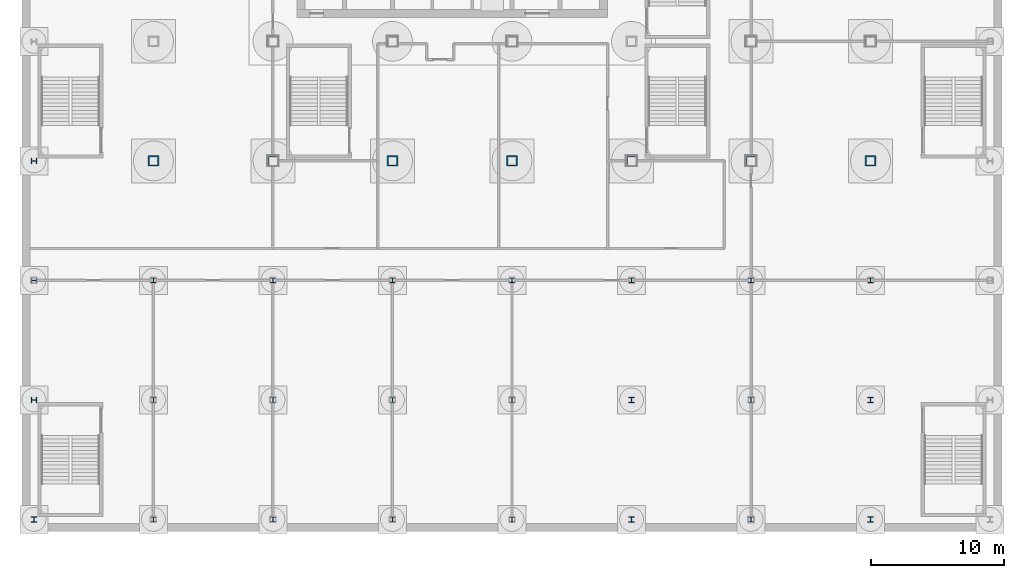
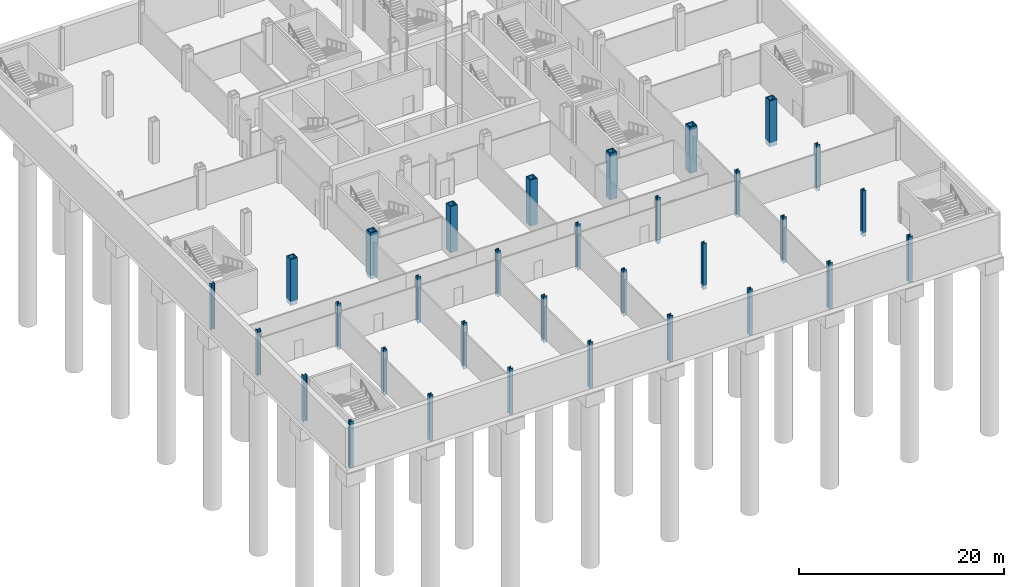
# One storey, part 2 of 28: 32 columns.
"""IFC4 building model written with IfcOpenShell, lengths in metres."""

import ifcopenshell
import ifcopenshell.guid

model = None  # the IFC model being written
_history = None  # IfcOwnerHistory: only IFC2X3 demands one
_inside = {}  # id of a spatial element -> (the spatial element, [elements in it])
_under = {}  # id of a project, library or spatial element -> (it, [spatial elements below it])
_declared = {}  # id of a project -> (the project, [libraries it declares])
_typed = {}  # id of a type object -> (the type object, [elements of that type])
_made_of = {}  # id of a material, layer set ... -> (it, [elements and type objects made of it])


def new_model(schema):
    """Start an empty IFC model of exactly this schema.

    Asked for "IFC4X3", IfcOpenShell would pick the latest addendum, in which some entities
    have other attributes; the version numbers below select the first issue.
    IFC2X3 requires an IfcOwnerHistory on every rooted entity: one is made here for all.
    """
    global model, _history
    if schema == "IFC4X3":
        model = ifcopenshell.file(schema_version=(4, 3, 0, 0))
    else:
        model = ifcopenshell.file(schema=schema)
    _inside.clear()
    _under.clear()
    _declared.clear()
    _typed.clear()
    _made_of.clear()
    _history = None
    if model.schema == "IFC2X3":
        org = make("IfcOrganization", Name="unknown")
        user = make(
            "IfcPersonAndOrganization",
            ThePerson=make("IfcPerson", FamilyName="unknown"),
            TheOrganization=org,
        )
        app = make(
            "IfcApplication",
            ApplicationDeveloper=org,
            Version="unknown",
            ApplicationFullName="unknown",
            ApplicationIdentifier="unknown",
        )
        _history = make(
            "IfcOwnerHistory",
            OwningUser=user,
            OwningApplication=app,
            ChangeAction="ADDED",
            CreationDate=0,
        )
    return model


def make(cls, **values):
    """One entity of the class cls with the attributes given. An attribute that is None is left unset."""
    return model.create_entity(
        cls, **{name: value for name, value in values.items() if value is not None}
    )


def rooted(cls, **values):
    """An entity with a GlobalId (a new one), such as an element, a storey or a relation."""
    return make(cls, GlobalId=ifcopenshell.guid.new(), OwnerHistory=_history, **values)


def si_unit(unit_type, name, prefix=None):
    """IfcSIUnit, for example si_unit("LENGTHUNIT", "METRE", prefix="MILLI")."""
    return make("IfcSIUnit", UnitType=unit_type, Prefix=prefix, Name=name)


def assignment(units):
    """IfcUnitAssignment: the units of a project."""
    return None if units is None else make("IfcUnitAssignment", Units=units)


def point(xyz):
    """IfcCartesianPoint."""
    return None if xyz is None else make("IfcCartesianPoint", Coordinates=xyz)


def direction(xyz):
    """IfcDirection."""
    return None if xyz is None else make("IfcDirection", DirectionRatios=xyz)


def frame(location, z_axis=None, x_axis=None):
    """IfcAxis2Placement3D, a coordinate frame: its origin and axes. An axis left out is left unset."""
    return make(
        "IfcAxis2Placement3D",
        Location=point(location),
        Axis=direction(z_axis),
        RefDirection=direction(x_axis),
    )


def frame_2d(location, x_axis=None):
    """IfcAxis2Placement2D, a coordinate frame in the plane: its origin and x axis."""
    return make(
        "IfcAxis2Placement2D", Location=point(location), RefDirection=direction(x_axis)
    )


def origin():
    """The frame at (0, 0, 0) with its axes left unset."""
    return frame((0.0, 0.0, 0.0))


def origin_2d():
    """The frame at (0, 0) in the plane with its x axis left unset."""
    return frame_2d((0.0, 0.0))


def place(relative_to, where):
    """IfcLocalPlacement: puts the frame where relative to a parent placement (None: the world)."""
    return make(
        "IfcLocalPlacement", PlacementRelTo=relative_to, RelativePlacement=where
    )


def context(
    kind, dimensions, precision=None, world=None, true_north=None, identifier=None
):
    """IfcGeometricRepresentationContext, for example the 3D "Model" context."""
    return make(
        "IfcGeometricRepresentationContext",
        ContextIdentifier=identifier,
        ContextType=kind,
        CoordinateSpaceDimension=dimensions,
        Precision=precision,
        WorldCoordinateSystem=world,
        TrueNorth=true_north,
    )


def subcontext(parent, identifier, kind, view, scale=None):
    """IfcGeometricRepresentationSubContext, for example "Body" below "Model"."""
    return make(
        "IfcGeometricRepresentationSubContext",
        ContextIdentifier=identifier,
        ContextType=kind,
        ParentContext=parent,
        TargetScale=scale,
        TargetView=view,
    )


def project(units=None, contexts=None):
    """IfcProject with its units and contexts."""
    return rooted(
        "IfcProject",
        Name="project",
        RepresentationContexts=contexts,
        UnitsInContext=assignment(units),
    )


def spatial(cls, under=None, at=None, **own):
    """A site, building, storey or space (cls), placed at a placement, below another one or the project."""
    s = rooted(cls, ObjectPlacement=at, **own)
    if under is not None:
        _under.setdefault(under.id(), (under, []))[1].append(s)
    return s


def profile(cls, at=None, kind="AREA", **sizes):
    """A parametric profile (cls). Its sizes go by their IFC names, for example OverallWidth=200.0."""
    return make(cls, ProfileType=kind, Position=at, **sizes)


def hollow_rectangle(**sizes):
    """IfcRectangleHollowProfileDef."""
    return profile("IfcRectangleHollowProfileDef", **sizes)


def i_section(**sizes):
    """IfcIShapeProfileDef."""
    return profile("IfcIShapeProfileDef", **sizes)


def extrude(swept, where, along, depth):
    """IfcExtrudedAreaSolid: the profile swept, set in the frame where, extruded along a direction by depth."""
    return make(
        "IfcExtrudedAreaSolid",
        SweptArea=swept,
        Position=where,
        ExtrudedDirection=direction(along),
        Depth=depth,
    )


def shape(context_of_items, identifier, shape_type, items):
    """IfcShapeRepresentation: the items that make up one representation, for example the "Body"."""
    return make(
        "IfcShapeRepresentation",
        ContextOfItems=context_of_items,
        RepresentationIdentifier=identifier,
        RepresentationType=shape_type,
        Items=items,
    )


def material(Name=None, Category=None):
    """IfcMaterial."""
    return make("IfcMaterial", Name=Name, Category=Category)


def material_profile(
    of_material, cross_section, Name=None, Category=None, Priority=None
):
    """IfcMaterialProfile: a cross section and its material."""
    return make(
        "IfcMaterialProfile",
        Name=Name,
        Material=of_material,
        Profile=cross_section,
        Priority=Priority,
        Category=Category,
    )


def profile_set(profiles, Name=None, composite=None):
    """IfcMaterialProfileSet."""
    return make(
        "IfcMaterialProfileSet",
        Name=Name,
        MaterialProfiles=profiles,
        CompositeProfile=composite,
    )


def made_of(thing, what):
    """Note that an element or type object is made of a material, layer set ...; save() writes the relation."""
    if what is not None:
        _made_of.setdefault(what.id(), (what, []))[1].append(thing)
    return thing


def type_object(cls, material=None, **own):
    """A type object (cls), such as IfcWallType, which elements share."""
    return made_of(rooted(cls, **own), material)


def element(
    cls,
    number,
    at=None,
    inside=None,
    cuts=None,
    type_object=None,
    material=None,
    context=None,
    identifier="Body",
    shape_type=None,
    held_by="IfcProductDefinitionShape",
    body=None,
    shapes=None,
    **own,
):
    """One element of the class cls, such as IfcWall. Its Tag is "e" and its number.

    at: its placement. inside: the storey or other place that contains it. cuts: it is an
    opening in that element (IfcRelVoidsElement). A single representation is given by context,
    identifier, shape_type and body (its items); several are given by shapes. held_by: the class
    of the entity that holds the representations. save() writes the other relations.
    """
    e = rooted(cls, Tag="e%d" % number, ObjectPlacement=at, **own)
    if body is not None:
        shapes = [shape(context, identifier, shape_type, body)]
    if shapes is not None:
        e.Representation = make(held_by, Representations=shapes)
    if inside is not None:
        _inside.setdefault(inside.id(), (inside, []))[1].append(e)
    if cuts is not None:
        rooted(
            "IfcRelVoidsElement", RelatingBuildingElement=cuts, RelatedOpeningElement=e
        )
    if type_object is not None:
        _typed.setdefault(type_object.id(), (type_object, []))[1].append(e)
    return made_of(e, material)


def aggregate(whole, parts):
    """IfcRelAggregates: a whole, such as a stair, and the parts it consists of."""
    return rooted("IfcRelAggregates", RelatingObject=whole, RelatedObjects=parts)


def save(model, path):
    """Write the relations noted so far, then the file.

    IfcRelAggregates (storeys below a building ...), IfcRelContainedInSpatialStructure (elements
    in a storey), IfcRelDefinesByType, IfcRelAssociatesMaterial and IfcRelDeclares: one each for
    every whole, place, type object, material and project.
    """
    for whole, parts in _under.values():
        aggregate(whole, parts)
    for where, things in _inside.values():
        rooted(
            "IfcRelContainedInSpatialStructure",
            RelatedElements=things,
            RelatingStructure=where,
        )
    for kind, things in _typed.values():
        rooted("IfcRelDefinesByType", RelatedObjects=things, RelatingType=kind)
    for what, things in _made_of.values():
        rooted("IfcRelAssociatesMaterial", RelatedObjects=things, RelatingMaterial=what)
    for by, libraries in _declared.values():
        rooted("IfcRelDeclares", RelatingContext=by, RelatedDefinitions=libraries)
    model.write(path)


model = new_model("IFC4")

# Units and contexts
model_context = context("Model", 3, precision=1e-05, world=origin(), true_north=direction((0.0, 1.0)))
body_context = subcontext(model_context, "Body", "Model", "MODEL_VIEW")
ifc_project = project(units=[si_unit("LENGTHUNIT", "METRE"), si_unit("AREAUNIT", "SQUARE_METRE"), si_unit("VOLUMEUNIT", "CUBIC_METRE"), si_unit("PLANEANGLEUNIT", "RADIAN"), si_unit("MASSUNIT", "GRAM", prefix="KILO")], contexts=[model_context])

# Site, building, storey
site_placement = place(None, origin())
site = spatial("IfcSite", under=ifc_project, at=site_placement, CompositionType="ELEMENT")
building_placement = place(site_placement, origin())
building = spatial("IfcBuilding", under=site, at=building_placement, Name="Loomwork Tower", CompositionType="ELEMENT")
storey_placement = place(building_placement, frame((0.0, 0.0, -10.5)))
storey = spatial("IfcBuildingStorey", under=building, at=storey_placement, Name="B2", CompositionType="ELEMENT", Elevation=-10.5)

# Columns
ifc_material_1 = material(Name="Steel ASTM A572 Grade 50 plate", Category="steel")
ifc_material_profile_1 = material_profile(ifc_material_1, hollow_rectangle(XDim=0.800048828125, YDim=0.800048828125, WallThickness=0.10009765625, at=origin_2d()), Name="BOX800x100")
ifc_profile_set_1 = profile_set([ifc_material_profile_1], Name="Steel ASTM A572 Grade 50 plate")
column_type_1 = type_object("IfcColumnType", Name="EXOSKELETON PIER BOX800x100", PredefinedType="COLUMN", material=ifc_profile_set_1)
for number, where, z_axis, x_axis, name in (
    (1, (0.0, 0.0, -0.5), (0.0, 0.0, 1.0), (1.0, 0.0, 0.0), "Exoskeleton Pier D/2 B2"),
    (2, (9.0, 0.0, -0.5), (0.0, 0.0, 1.0), (1.0, 0.0, 0.0), "Exoskeleton Pier D/3 B2"),
    (3, (18.0, 0.0, -0.5), (0.0, 0.0, 1.0), (1.0, 0.0, 0.0), "Exoskeleton Pier D/4 B2"),
    (4, (27.0, 0.0, -0.5), (0.0, 0.0, 1.0), (1.0, 0.0, 0.0), "Exoskeleton Pier D/5 B2"),
    (5, (36.0, 0.0, -0.5), (0.0, 0.0, 1.0), (1.0, 0.0, 0.0), "Exoskeleton Pier D/6 B2"),
    (6, (45.0, 0.0, -0.5), (0.0, 0.0, 1.0), (1.0, 0.0, 0.0), "Exoskeleton Pier D/7 B2"),
    (7, (54.0, 0.0, -0.5), (0.0, 0.0, 1.0), (1.0, 0.0, 0.0), "Exoskeleton Pier D/8 B2"),
):
    element("IfcColumn", number, at=place(storey_placement, frame(where, z_axis=z_axis, x_axis=x_axis)), inside=storey, type_object=column_type_1, Name=name, PredefinedType="COLUMN", context=body_context, shape_type="SweptSolid", body=[
        extrude(hollow_rectangle(XDim=0.800048828125, YDim=0.800048828125, WallThickness=0.10009765625, at=origin_2d()), origin(), (0.0, 0.0, 1.0), 5.5),
    ])
ifc_material_2 = material(Name="Steel ASTM A992", Category="steel")
ifc_material_profile_2 = material_profile(ifc_material_2, i_section(OverallWidth=0.4013671875, OverallDepth=0.398681640625, WebThickness=0.02490234375, FlangeThickness=0.03955078125, at=origin_2d()), Name="W14x211")
ifc_profile_set_2 = profile_set([ifc_material_profile_2], Name="Steel ASTM A992")
column_type_2 = type_object("IfcColumnType", Name="PODIUM COLUMN W14x211", PredefinedType="COLUMN", material=ifc_profile_set_2)
for number, where, z_axis, x_axis, name in (
    (8, (-9.0, -27.0, -0.5), (0.0, 0.0, 1.0), (1.0, 0.0, 0.0), "Podium Column A/1 B2"),
    (9, (-9.0, -18.0, -0.5), (0.0, 0.0, 1.0), (0.0, 1.0, 0.0), "Podium Column B/1 B2"),
    (10, (-9.0, -9.0, -0.5), (0.0, 0.0, 1.0), (0.0, 1.0, 0.0), "Podium Column C/1 B2"),
    (11, (-9.0, 0.0, -0.5), (0.0, 0.0, 1.0), (0.0, 1.0, 0.0), "Podium Column D/1 B2"),
    (12, (0.0, -27.0, -0.5), (0.0, 0.0, 1.0), (1.0, 0.0, 0.0), "Podium Column A/2 B2"),
    (13, (0.0, -18.0, -0.5), (0.0, 0.0, 1.0), (1.0, 0.0, 0.0), "Podium Column B/2 B2"),
    (14, (0.0, -9.0, -0.5), (0.0, 0.0, 1.0), (1.0, 0.0, 0.0), "Podium Column C/2 B2"),
    (15, (9.0, -27.0, -0.5), (0.0, 0.0, 1.0), (1.0, 0.0, 0.0), "Podium Column A/3 B2"),
    (16, (9.0, -18.0, -0.5), (0.0, 0.0, 1.0), (1.0, 0.0, 0.0), "Podium Column B/3 B2"),
    (17, (9.0, -9.0, -0.5), (0.0, 0.0, 1.0), (1.0, 0.0, 0.0), "Podium Column C/3 B2"),
    (18, (18.0, -27.0, -0.5), (0.0, 0.0, 1.0), (1.0, 0.0, 0.0), "Podium Column A/4 B2"),
    (19, (18.0, -18.0, -0.5), (0.0, 0.0, 1.0), (1.0, 0.0, 0.0), "Podium Column B/4 B2"),
    (20, (18.0, -9.0, -0.5), (0.0, 0.0, 1.0), (1.0, 0.0, 0.0), "Podium Column C/4 B2"),
    (21, (27.0, -27.0, -0.5), (0.0, 0.0, 1.0), (1.0, 0.0, 0.0), "Podium Column A/5 B2"),
    (22, (27.0, -18.0, -0.5), (0.0, 0.0, 1.0), (1.0, 0.0, 0.0), "Podium Column B/5 B2"),
    (23, (27.0, -9.0, -0.5), (0.0, 0.0, 1.0), (1.0, 0.0, 0.0), "Podium Column C/5 B2"),
    (24, (36.0, -27.0, -0.5), (0.0, 0.0, 1.0), (1.0, 0.0, 0.0), "Podium Column A/6 B2"),
    (25, (36.0, -18.0, -0.5), (0.0, 0.0, 1.0), (1.0, 0.0, 0.0), "Podium Column B/6 B2"),
    (26, (36.0, -9.0, -0.5), (0.0, 0.0, 1.0), (1.0, 0.0, 0.0), "Podium Column C/6 B2"),
    (27, (45.0, -18.0, -0.5), (0.0, 0.0, 1.0), (1.0, 0.0, 0.0), "Podium Column B/7 B2"),
    (28, (45.0, -9.0, -0.5), (0.0, 0.0, 1.0), (1.0, 0.0, 0.0), "Podium Column C/7 B2"),
    (29, (54.0, -18.0, -0.5), (0.0, 0.0, 1.0), (1.0, 0.0, 0.0), "Podium Column B/8 B2"),
    (30, (54.0, -9.0, -0.5), (0.0, 0.0, 1.0), (1.0, 0.0, 0.0), "Podium Column C/8 B2"),
):
    element("IfcColumn", number, at=place(storey_placement, frame(where, z_axis=z_axis, x_axis=x_axis)), inside=storey, type_object=column_type_2, Name=name, PredefinedType="COLUMN", context=body_context, shape_type="SweptSolid", body=[
        extrude(i_section(OverallWidth=0.4013671875, OverallDepth=0.398681640625, WebThickness=0.02490234375, FlangeThickness=0.03955078125, at=origin_2d()), origin(), (0.0, 0.0, 1.0), 5.5),
    ])
ifc_material_3 = material(Name="Steel ASTM A992", Category="steel")
ifc_material_profile_3 = material_profile(ifc_material_3, i_section(OverallWidth=0.408935546875, OverallDepth=0.424072265625, WebThickness=0.03271484375, FlangeThickness=0.052490234375, at=origin_2d()), Name="W14x283")
ifc_profile_set_3 = profile_set([ifc_material_profile_3], Name="Steel ASTM A992")
column_type_3 = type_object("IfcColumnType", Name="PODIUM COLUMN W14x283", PredefinedType="COLUMN", material=ifc_profile_set_3)
for number, where, z_axis, x_axis, name in (
    (31, (45.0, -27.0, -0.5), (0.0, 0.0, 1.0), (1.0, 0.0, 0.0), "Podium Column A/7 B2"),
    (32, (54.0, -27.0, -0.5), (0.0, 0.0, 1.0), (1.0, 0.0, 0.0), "Podium Column A/8 B2"),
):
    element("IfcColumn", number, at=place(storey_placement, frame(where, z_axis=z_axis, x_axis=x_axis)), inside=storey, type_object=column_type_3, Name=name, PredefinedType="COLUMN", context=body_context, shape_type="SweptSolid", body=[
        extrude(i_section(OverallWidth=0.408935546875, OverallDepth=0.424072265625, WebThickness=0.03271484375, FlangeThickness=0.052490234375, at=origin_2d()), origin(), (0.0, 0.0, 1.0), 5.5),
    ])

save(model, "model.ifc")
